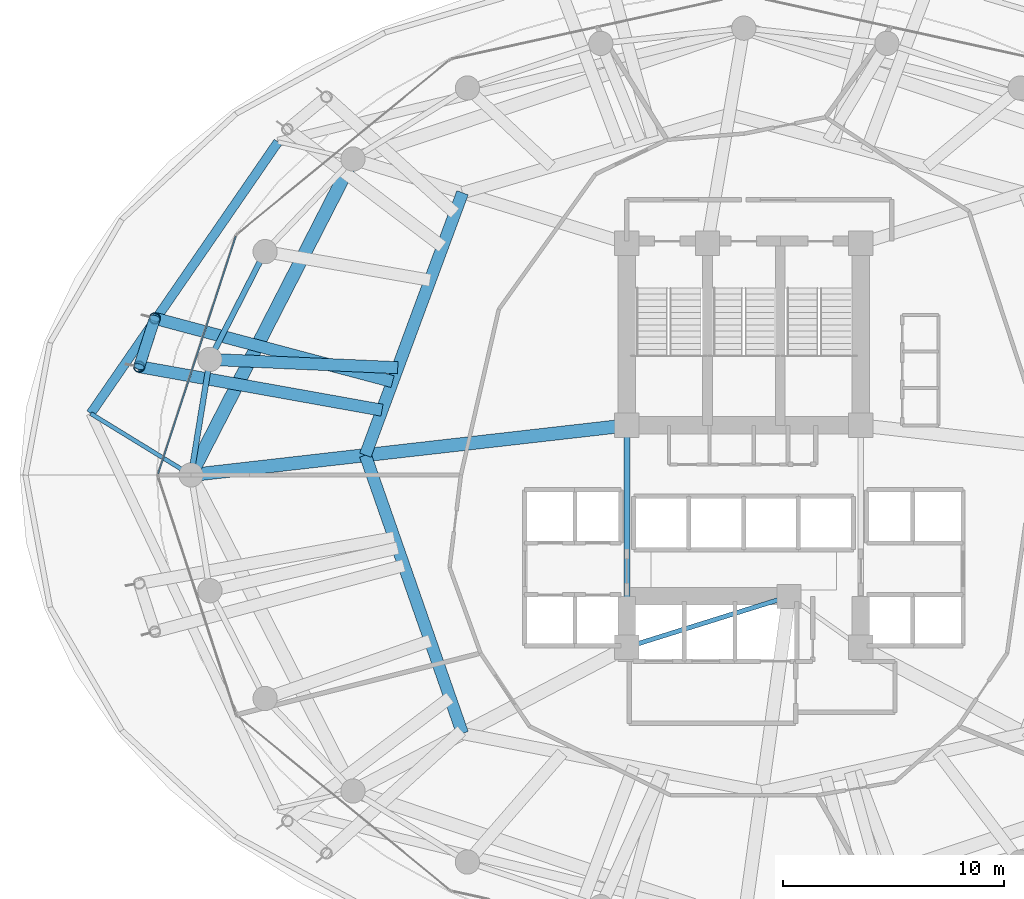
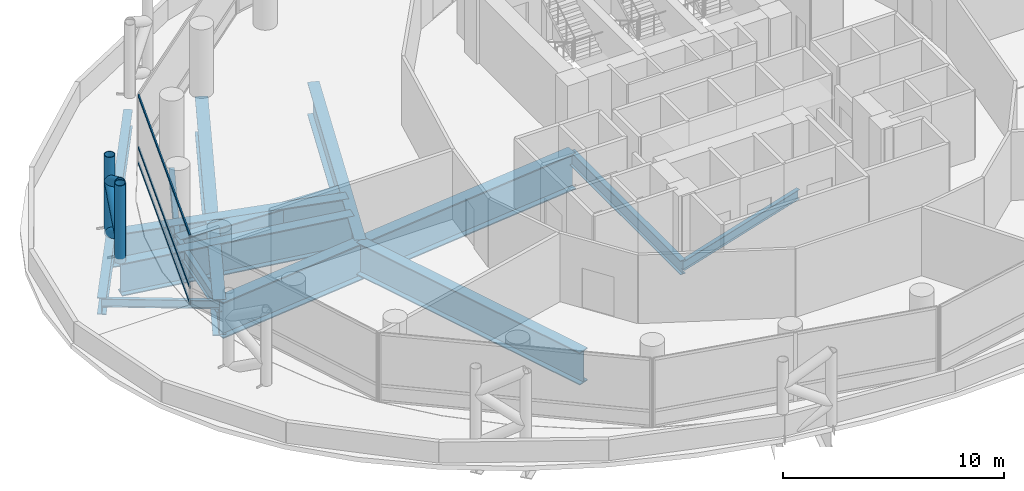
# One storey, part 9 of 37: 13 beams, 8 members, 1 element without a shape of its own.
"""IFC4 building model written with IfcOpenShell, lengths in metres."""

import ifcopenshell
import ifcopenshell.guid

model = None  # the IFC model being written
_history = None  # IfcOwnerHistory: only IFC2X3 demands one
_inside = {}  # id of a spatial element -> (the spatial element, [elements in it])
_under = {}  # id of a project, library or spatial element -> (it, [spatial elements below it])
_declared = {}  # id of a project -> (the project, [libraries it declares])
_typed = {}  # id of a type object -> (the type object, [elements of that type])
_made_of = {}  # id of a material, layer set ... -> (it, [elements and type objects made of it])


def new_model(schema):
    """Start an empty IFC model of exactly this schema.

    Asked for "IFC4X3", IfcOpenShell would pick the latest addendum, in which some entities
    have other attributes; the version numbers below select the first issue.
    IFC2X3 requires an IfcOwnerHistory on every rooted entity: one is made here for all.
    """
    global model, _history
    if schema == "IFC4X3":
        model = ifcopenshell.file(schema_version=(4, 3, 0, 0))
    else:
        model = ifcopenshell.file(schema=schema)
    _inside.clear()
    _under.clear()
    _declared.clear()
    _typed.clear()
    _made_of.clear()
    _history = None
    if model.schema == "IFC2X3":
        org = make("IfcOrganization", Name="unknown")
        user = make(
            "IfcPersonAndOrganization",
            ThePerson=make("IfcPerson", FamilyName="unknown"),
            TheOrganization=org,
        )
        app = make(
            "IfcApplication",
            ApplicationDeveloper=org,
            Version="unknown",
            ApplicationFullName="unknown",
            ApplicationIdentifier="unknown",
        )
        _history = make(
            "IfcOwnerHistory",
            OwningUser=user,
            OwningApplication=app,
            ChangeAction="ADDED",
            CreationDate=0,
        )
    return model


def make(cls, **values):
    """One entity of the class cls with the attributes given. An attribute that is None is left unset."""
    return model.create_entity(
        cls, **{name: value for name, value in values.items() if value is not None}
    )


def rooted(cls, **values):
    """An entity with a GlobalId (a new one), such as an element, a storey or a relation."""
    return make(cls, GlobalId=ifcopenshell.guid.new(), OwnerHistory=_history, **values)


def si_unit(unit_type, name, prefix=None):
    """IfcSIUnit, for example si_unit("LENGTHUNIT", "METRE", prefix="MILLI")."""
    return make("IfcSIUnit", UnitType=unit_type, Prefix=prefix, Name=name)


def assignment(units):
    """IfcUnitAssignment: the units of a project."""
    return None if units is None else make("IfcUnitAssignment", Units=units)


def point(xyz):
    """IfcCartesianPoint."""
    return None if xyz is None else make("IfcCartesianPoint", Coordinates=xyz)


def direction(xyz):
    """IfcDirection."""
    return None if xyz is None else make("IfcDirection", DirectionRatios=xyz)


def frame(location, z_axis=None, x_axis=None):
    """IfcAxis2Placement3D, a coordinate frame: its origin and axes. An axis left out is left unset."""
    return make(
        "IfcAxis2Placement3D",
        Location=point(location),
        Axis=direction(z_axis),
        RefDirection=direction(x_axis),
    )


def frame_2d(location, x_axis=None):
    """IfcAxis2Placement2D, a coordinate frame in the plane: its origin and x axis."""
    return make(
        "IfcAxis2Placement2D", Location=point(location), RefDirection=direction(x_axis)
    )


def origin():
    """The frame at (0, 0, 0) with its axes left unset."""
    return frame((0.0, 0.0, 0.0))


def origin_2d():
    """The frame at (0, 0) in the plane with its x axis left unset."""
    return frame_2d((0.0, 0.0))


def place(relative_to, where):
    """IfcLocalPlacement: puts the frame where relative to a parent placement (None: the world)."""
    return make(
        "IfcLocalPlacement", PlacementRelTo=relative_to, RelativePlacement=where
    )


def context(
    kind, dimensions, precision=None, world=None, true_north=None, identifier=None
):
    """IfcGeometricRepresentationContext, for example the 3D "Model" context."""
    return make(
        "IfcGeometricRepresentationContext",
        ContextIdentifier=identifier,
        ContextType=kind,
        CoordinateSpaceDimension=dimensions,
        Precision=precision,
        WorldCoordinateSystem=world,
        TrueNorth=true_north,
    )


def subcontext(parent, identifier, kind, view, scale=None):
    """IfcGeometricRepresentationSubContext, for example "Body" below "Model"."""
    return make(
        "IfcGeometricRepresentationSubContext",
        ContextIdentifier=identifier,
        ContextType=kind,
        ParentContext=parent,
        TargetScale=scale,
        TargetView=view,
    )


def project(units=None, contexts=None):
    """IfcProject with its units and contexts."""
    return rooted(
        "IfcProject",
        Name="project",
        RepresentationContexts=contexts,
        UnitsInContext=assignment(units),
    )


def spatial(cls, under=None, at=None, **own):
    """A site, building, storey or space (cls), placed at a placement, below another one or the project."""
    s = rooted(cls, ObjectPlacement=at, **own)
    if under is not None:
        _under.setdefault(under.id(), (under, []))[1].append(s)
    return s


def profile(cls, at=None, kind="AREA", **sizes):
    """A parametric profile (cls). Its sizes go by their IFC names, for example OverallWidth=200.0."""
    return make(cls, ProfileType=kind, Position=at, **sizes)


def hollow_rectangle(**sizes):
    """IfcRectangleHollowProfileDef."""
    return profile("IfcRectangleHollowProfileDef", **sizes)


def hollow_circle(**sizes):
    """IfcCircleHollowProfileDef."""
    return profile("IfcCircleHollowProfileDef", **sizes)


def i_section(**sizes):
    """IfcIShapeProfileDef."""
    return profile("IfcIShapeProfileDef", **sizes)


def extrude(swept, where, along, depth):
    """IfcExtrudedAreaSolid: the profile swept, set in the frame where, extruded along a direction by depth."""
    return make(
        "IfcExtrudedAreaSolid",
        SweptArea=swept,
        Position=where,
        ExtrudedDirection=direction(along),
        Depth=depth,
    )


def shape(context_of_items, identifier, shape_type, items):
    """IfcShapeRepresentation: the items that make up one representation, for example the "Body"."""
    return make(
        "IfcShapeRepresentation",
        ContextOfItems=context_of_items,
        RepresentationIdentifier=identifier,
        RepresentationType=shape_type,
        Items=items,
    )


def material(Name=None, Category=None):
    """IfcMaterial."""
    return make("IfcMaterial", Name=Name, Category=Category)


def layer(
    of_material, thickness, ventilated=None, Name=None, Category=None, Priority=None
):
    """IfcMaterialLayer: one layer of a wall or slab, of a material (None: an air gap)."""
    return make(
        "IfcMaterialLayer",
        Material=of_material,
        LayerThickness=thickness,
        IsVentilated=ventilated,
        Name=Name,
        Category=Category,
        Priority=Priority,
    )


def layer_set(layers, Name=None):
    """IfcMaterialLayerSet."""
    return make("IfcMaterialLayerSet", MaterialLayers=layers, LayerSetName=Name)


def material_profile(
    of_material, cross_section, Name=None, Category=None, Priority=None
):
    """IfcMaterialProfile: a cross section and its material."""
    return make(
        "IfcMaterialProfile",
        Name=Name,
        Material=of_material,
        Profile=cross_section,
        Priority=Priority,
        Category=Category,
    )


def profile_set(profiles, Name=None, composite=None):
    """IfcMaterialProfileSet."""
    return make(
        "IfcMaterialProfileSet",
        Name=Name,
        MaterialProfiles=profiles,
        CompositeProfile=composite,
    )


def made_of(thing, what):
    """Note that an element or type object is made of a material, layer set ...; save() writes the relation."""
    if what is not None:
        _made_of.setdefault(what.id(), (what, []))[1].append(thing)
    return thing


def type_object(cls, material=None, **own):
    """A type object (cls), such as IfcWallType, which elements share."""
    return made_of(rooted(cls, **own), material)


def element(
    cls,
    number,
    at=None,
    inside=None,
    cuts=None,
    type_object=None,
    material=None,
    context=None,
    identifier="Body",
    shape_type=None,
    held_by="IfcProductDefinitionShape",
    body=None,
    shapes=None,
    **own,
):
    """One element of the class cls, such as IfcWall. Its Tag is "e" and its number.

    at: its placement. inside: the storey or other place that contains it. cuts: it is an
    opening in that element (IfcRelVoidsElement). A single representation is given by context,
    identifier, shape_type and body (its items); several are given by shapes. held_by: the class
    of the entity that holds the representations. save() writes the other relations.
    """
    e = rooted(cls, Tag="e%d" % number, ObjectPlacement=at, **own)
    if body is not None:
        shapes = [shape(context, identifier, shape_type, body)]
    if shapes is not None:
        e.Representation = make(held_by, Representations=shapes)
    if inside is not None:
        _inside.setdefault(inside.id(), (inside, []))[1].append(e)
    if cuts is not None:
        rooted(
            "IfcRelVoidsElement", RelatingBuildingElement=cuts, RelatedOpeningElement=e
        )
    if type_object is not None:
        _typed.setdefault(type_object.id(), (type_object, []))[1].append(e)
    return made_of(e, material)


def aggregate(whole, parts):
    """IfcRelAggregates: a whole, such as a stair, and the parts it consists of."""
    return rooted("IfcRelAggregates", RelatingObject=whole, RelatedObjects=parts)


def save(model, path):
    """Write the relations noted so far, then the file.

    IfcRelAggregates (storeys below a building ...), IfcRelContainedInSpatialStructure (elements
    in a storey), IfcRelDefinesByType, IfcRelAssociatesMaterial and IfcRelDeclares: one each for
    every whole, place, type object, material and project.
    """
    for whole, parts in _under.values():
        aggregate(whole, parts)
    for where, things in _inside.values():
        rooted(
            "IfcRelContainedInSpatialStructure",
            RelatedElements=things,
            RelatingStructure=where,
        )
    for kind, things in _typed.values():
        rooted("IfcRelDefinesByType", RelatedObjects=things, RelatingType=kind)
    for what, things in _made_of.values():
        rooted("IfcRelAssociatesMaterial", RelatedObjects=things, RelatingMaterial=what)
    for by, libraries in _declared.values():
        rooted("IfcRelDeclares", RelatingContext=by, RelatedDefinitions=libraries)
    model.write(path)


model = new_model("IFC4")

# Units and contexts
model_context = context("Model", 3, precision=1e-05, world=origin(), true_north=direction((0.0, 1.0)))
body_context = subcontext(model_context, "Body", "Model", "MODEL_VIEW")
ifc_project = project(units=[si_unit("LENGTHUNIT", "METRE"), si_unit("AREAUNIT", "SQUARE_METRE"), si_unit("VOLUMEUNIT", "CUBIC_METRE"), si_unit("PLANEANGLEUNIT", "RADIAN"), si_unit("MASSUNIT", "GRAM", prefix="KILO")], contexts=[model_context])

# Site, building, storey
site_placement = place(None, origin())
site = spatial("IfcSite", under=ifc_project, at=site_placement, CompositionType="ELEMENT")
building_placement = place(site_placement, origin())
building = spatial("IfcBuilding", under=site, at=building_placement, Name="Nuhasar Tower", CompositionType="ELEMENT")
storey_placement = place(building_placement, frame((0.0, 0.0, 21.0)))
storey = spatial("IfcBuildingStorey", under=building, at=storey_placement, Name="L04", CompositionType="ELEMENT", Elevation=21.0)

# Beams
ifc_material_1 = material(Name="Steel S355", Category="steel")
ifc_material_profile_1 = material_profile(ifc_material_1, i_section(OverallWidth=0.419921875, OverallDepth=0.931884765625, WebThickness=0.021240234375, FlangeThickness=0.03662109375, at=origin_2d()), Name="W36X262")
ifc_profile_set_1 = profile_set([ifc_material_profile_1], Name="Steel S355")
beam_type_1 = type_object("IfcBeamType", Name="BM-POD-W36X262", PredefinedType="BEAM", material=ifc_profile_set_1)
beam_1_placement = place(storey_placement, frame((17.89306640625, 41.89697265625, -0.72607421875), z_axis=(-0.567657789101, -0.823264619957, 0.0), x_axis=(0.823264619957, -0.567657789101, 0.0)))
element("IfcBeam", 1, at=beam_1_placement, inside=storey, type_object=beam_type_1, Name="L04 Podium Ring Girder 07", PredefinedType="BEAM", context=body_context, shape_type="SweptSolid", body=[
    extrude(i_section(OverallWidth=0.419921875, OverallDepth=0.931884765625, WebThickness=0.021240234375, FlangeThickness=0.03662109375, at=origin_2d()), origin(), (0.0, 0.0, 1.0), 14.95263671875),
])
ifc_material_profile_2 = material_profile(ifc_material_1, i_section(OverallWidth=0.18994140625, OverallDepth=0.45703125, WebThickness=0.009033203125, FlangeThickness=0.014404296875, at=origin_2d()), Name="W18X50")
ifc_profile_set_2 = profile_set([ifc_material_profile_2], Name="Steel S355")
beam_type_2 = type_object("IfcBeamType", Name="BM-RAD-W18X50", PredefinedType="BEAM", material=ifc_profile_set_2)
beam_2_placement = place(storey_placement, frame((13.949951171875, 26.800048828125, -0.489013671875), z_axis=(-0.852495272032, 0.522734933941, 0.0), x_axis=(-0.522734933941, -0.852495272032, 0.0)))
element("IfcBeam", 2, at=beam_2_placement, inside=storey, type_object=beam_type_2, Name="L04 Podium Radial Girder 08", PredefinedType="BEAM", context=body_context, shape_type="SweptSolid", body=[
    extrude(i_section(OverallWidth=0.18994140625, OverallDepth=0.45703125, WebThickness=0.009033203125, FlangeThickness=0.014404296875, at=origin_2d()), origin(), (0.0, 0.0, 1.0), 5.331298828125),
])
ifc_material_profile_3 = material_profile(ifc_material_1, i_section(OverallWidth=0.208984375, OverallDepth=0.532958984375, WebThickness=0.01025390625, FlangeThickness=0.015625, at=origin_2d()), Name="W21X62")
ifc_profile_set_3 = profile_set([ifc_material_profile_3], Name="Steel S355")
beam_type_3 = type_object("IfcBeamType", Name="BM-RAD-W21X62", PredefinedType="BEAM", material=ifc_profile_set_3)
beam_3_placement = place(storey_placement, frame((33.699951171875, 19.0, -0.527099609375), z_axis=(0.954363709454, 0.298646798205, 0.0), x_axis=(-0.298646798205, 0.954363709454, 0.0)))
element("IfcBeam", 3, at=beam_3_placement, inside=storey, type_object=beam_type_3, Name="L04 Core Ring Girder 1", PredefinedType="BEAM", context=body_context, shape_type="SweptSolid", body=[
    extrude(i_section(OverallWidth=0.208984375, OverallDepth=0.532958984375, WebThickness=0.01025390625, FlangeThickness=0.015625, at=origin_2d()), origin(), (0.0, 0.0, 1.0), 7.70166015625),
])
ifc_material_profile_4 = material_profile(ifc_material_1, i_section(OverallWidth=0.26611328125, OverallDepth=0.779052734375, WebThickness=0.0166015625, FlangeThickness=0.030029296875, at=origin_2d()), Name="W30X148")
ifc_profile_set_4 = profile_set([ifc_material_profile_4], Name="Steel S355")
beam_type_4 = type_object("IfcBeamType", Name="BM-RAD-W30X148", PredefinedType="BEAM", material=ifc_profile_set_4)
beam_4_placement = place(storey_placement, frame((33.699951171875, 29.050048828125, -0.64990234375), z_axis=(0.0, -1.0, 0.0), x_axis=(1.0, 0.0, 0.0)))
element("IfcBeam", 4, at=beam_4_placement, inside=storey, type_object=beam_type_4, Name="L04 Core Ring Girder 8", PredefinedType="BEAM", context=body_context, shape_type="SweptSolid", body=[
    extrude(i_section(OverallWidth=0.26611328125, OverallDepth=0.779052734375, WebThickness=0.0166015625, FlangeThickness=0.030029296875, at=origin_2d()), origin(), (0.0, 0.0, 1.0), 10.050048828125),
])
ifc_material_profile_5 = material_profile(ifc_material_1, i_section(OverallWidth=0.256103515625, OverallDepth=0.693115234375, WebThickness=0.014404296875, FlangeThickness=0.023681640625, at=origin_2d()), Name="W27X114")
ifc_profile_set_5 = profile_set([ifc_material_profile_5], Name="Steel S355")
beam_type_5 = type_object("IfcBeamType", Name="BM-RING-W27X114", PredefinedType="SPANDREL", material=ifc_profile_set_5)
beam_5_placement = place(storey_placement, frame((17.305908203125, 36.925048828125, -0.60693359375), z_axis=(-0.455930023905, -0.890015625314, 0.0), x_axis=(0.890015625314, -0.455930023905, 0.0)))
element("IfcBeam", 5, at=beam_5_placement, inside=storey, type_object=beam_type_5, Name="L04 Perimeter Ring Spandrel 11", PredefinedType="SPANDREL", context=body_context, shape_type="SweptSolid", body=[
    extrude(i_section(OverallWidth=0.256103515625, OverallDepth=0.693115234375, WebThickness=0.014404296875, FlangeThickness=0.023681640625, at=origin_2d()), origin(), (0.0, 0.0, 1.0), 5.487548828125),
])
beam_6_placement = place(storey_placement, frame((14.803955078125, 32.041015625, -0.60693359375), z_axis=(-0.160826635486, -0.986982671235, 0.0), x_axis=(0.986982671235, -0.160826635486, 0.0)))
element("IfcBeam", 6, at=beam_6_placement, inside=storey, type_object=beam_type_5, Name="L04 Perimeter Ring Spandrel 12", PredefinedType="SPANDREL", context=body_context, shape_type="SweptSolid", body=[
    extrude(i_section(OverallWidth=0.256103515625, OverallDepth=0.693115234375, WebThickness=0.014404296875, FlangeThickness=0.023681640625, at=origin_2d()), origin(), (0.0, 0.0, 1.0), 5.31005859375),
])
ifc_material_2 = material(Name="Steel S460", Category="steel")
ifc_material_profile_6 = material_profile(ifc_material_2, i_section(OverallWidth=0.550048828125, OverallDepth=1.64990234375, WebThickness=0.031982421875, FlangeThickness=0.054931640625, at=origin_2d()), Name="PG1650X550")
ifc_profile_set_6 = profile_set([ifc_material_profile_6], Name="Steel S460")
beam_type_6 = type_object("IfcBeamType", Name="BM-XFER-PG1650", PredefinedType="USERDEFINED", material=ifc_profile_set_6)
beam_7_placement = place(storey_placement, frame((23.31689453125, 31.6640625, -1.0849609375), z_axis=(-0.999021079244, 0.044236672871, 0.0), x_axis=(-0.044236672871, -0.999021079244, 0.0)))
element("IfcBeam", 7, at=beam_7_placement, inside=storey, type_object=beam_type_6, Name="L04 Inner Column Transfer Girder 12", ObjectType="GIRDER", PredefinedType="USERDEFINED", context=body_context, shape_type="SweptSolid", body=[
    extrude(i_section(OverallWidth=0.550048828125, OverallDepth=1.64990234375, WebThickness=0.031982421875, FlangeThickness=0.054931640625, at=origin_2d()), origin(), (0.0, 0.0, 1.0), 8.521240234375),
])
ifc_material_profile_7 = material_profile(ifc_material_2, i_section(OverallWidth=0.550048828125, OverallDepth=1.800048828125, WebThickness=0.031982421875, FlangeThickness=0.054931640625, at=origin_2d()), Name="PG1800X550")
ifc_profile_set_7 = profile_set([ifc_material_profile_7], Name="Steel S460")
beam_type_7 = type_object("IfcBeamType", Name="BM-XFER-PG1800", PredefinedType="USERDEFINED", material=ifc_profile_set_7)
beam_8_placement = place(storey_placement, frame((26.251953125, 39.591064453125, -1.159912109375), z_axis=(-0.34715757476, -0.937806812881, 0.0), x_axis=(0.937806812881, -0.34715757476, 0.0)))
element("IfcBeam", 8, at=beam_8_placement, inside=storey, type_object=beam_type_7, Name="L04 Inner Header Beam 07", ObjectType="GIRDER", PredefinedType="USERDEFINED", context=body_context, shape_type="SweptSolid", body=[
    extrude(i_section(OverallWidth=0.550048828125, OverallDepth=1.800048828125, WebThickness=0.031982421875, FlangeThickness=0.054931640625, at=origin_2d()), origin(), (0.0, 0.0, 1.0), 12.6796875),
])
beam_9_placement = place(storey_placement, frame((21.85009765625, 27.699951171875, -1.159912109375), z_axis=(0.329554049858, -0.944136710558, 0.0), x_axis=(0.944136710558, 0.329554049858, 0.0)))
element("IfcBeam", 9, at=beam_9_placement, inside=storey, type_object=beam_type_7, Name="L04 Inner Header Beam 08", ObjectType="GIRDER", PredefinedType="USERDEFINED", context=body_context, shape_type="SweptSolid", body=[
    extrude(i_section(OverallWidth=0.550048828125, OverallDepth=1.800048828125, WebThickness=0.031982421875, FlangeThickness=0.054931640625, at=origin_2d()), origin(), (0.0, 0.0, 1.0), 13.35693359375),
])
beam_10_placement = place(storey_placement, frame((23.083984375, 31.032958984375, -1.159912109375), z_axis=(-0.966404439492, 0.257026184132, 0.0), x_axis=(-0.257026184132, -0.966404439492, 0.0)))
element("IfcBeam", 10, at=beam_10_placement, inside=storey, type_object=beam_type_7, Name="L04 Exoskeleton Base Transfer Girder 11", ObjectType="GIRDER", PredefinedType="USERDEFINED", context=body_context, shape_type="SweptSolid", body=[
    extrude(i_section(OverallWidth=0.550048828125, OverallDepth=1.800048828125, WebThickness=0.031982421875, FlangeThickness=0.054931640625, at=origin_2d()), origin(), (0.0, 0.0, 1.0), 11.150390625),
])
beam_11_placement = place(storey_placement, frame((22.60400390625, 29.738037109375, -1.159912109375), z_axis=(-0.98431995214, 0.176392266894, 0.0), x_axis=(-0.176392266894, -0.98431995214, 0.0)))
element("IfcBeam", 11, at=beam_11_placement, inside=storey, type_object=beam_type_7, Name="L04 Exoskeleton Base Transfer Girder 12", ObjectType="GIRDER", PredefinedType="USERDEFINED", context=body_context, shape_type="SweptSolid", body=[
    extrude(i_section(OverallWidth=0.550048828125, OverallDepth=1.800048828125, WebThickness=0.031982421875, FlangeThickness=0.054931640625, at=origin_2d()), origin(), (0.0, 0.0, 1.0), 11.17919921875),
])
ifc_material_profile_8 = material_profile(ifc_material_2, i_section(OverallWidth=0.60009765625, OverallDepth=2.0, WebThickness=0.035888671875, FlangeThickness=0.06005859375, at=origin_2d()), Name="PG2000X600")
ifc_profile_set_8 = profile_set([ifc_material_profile_8], Name="Steel S460")
beam_type_8 = type_object("IfcBeamType", Name="BM-XFER-PG2000", PredefinedType="USERDEFINED", material=ifc_profile_set_8)
beam_12_placement = place(storey_placement, frame((21.287109375, 41.118896484375, -1.260009765625), z_axis=(-0.456029199343, -0.889964813544, 0.0), x_axis=(0.889964813544, -0.456029199343, 0.0)))
element("IfcBeam", 12, at=beam_12_placement, inside=storey, type_object=beam_type_8, Name="L04 Podium-to-Tower Transfer Chord 07", ObjectType="GIRDER", PredefinedType="USERDEFINED", context=body_context, shape_type="SweptSolid", body=[
    extrude(i_section(OverallWidth=0.60009765625, OverallDepth=2.0, WebThickness=0.035888671875, FlangeThickness=0.06005859375, at=origin_2d()), origin(), (0.0, 0.0, 1.0), 16.089111328125),
])
beam_13_placement = place(storey_placement, frame((33.699951171875, 29.050048828125, -1.260009765625), z_axis=(-0.993573147212, -0.113191877531, 0.0), x_axis=(0.113191877531, -0.993573147212, 0.0)))
element("IfcBeam", 13, at=beam_13_placement, inside=storey, type_object=beam_type_8, Name="L04 Radial Floor Girder 08", ObjectType="GIRDER", PredefinedType="USERDEFINED", context=body_context, shape_type="SweptSolid", body=[
    extrude(i_section(OverallWidth=0.60009765625, OverallDepth=2.0, WebThickness=0.035888671875, FlangeThickness=0.06005859375, at=origin_2d()), origin(), (0.0, 0.0, 1.0), 19.877685546875),
])

# Curtain wall, members
ifc_material_3 = material(Name="Aluminium 6063-T6", Category="aluminium")
ifc_layer = layer(ifc_material_3, 0.199951171875)
ifc_layer_set = layer_set([ifc_layer], Name="Aluminium 6063-T6")
curtain_wall_type = type_object("IfcCurtainWallType", Name="CW-Z1-OFF", PredefinedType="NOTDEFINED", material=ifc_layer_set)
curtain_wall_placement = place(storey_placement, origin())
curtain_wall = element("IfcCurtainWall", 14, at=curtain_wall_placement, inside=storey, type_object=curtain_wall_type, Name="L04 Unitised Curtain Wall 06", PredefinedType="NOTDEFINED")
ifc_material_profile_9 = material_profile(ifc_material_3, hollow_rectangle(XDim=0.06494140625, YDim=0.14990234375, WallThickness=0.00439453125, at=origin_2d()), Name="CWT-2")
ifc_profile_set_9 = profile_set([ifc_material_profile_9], Name="Aluminium 6063-T6")
member_type_1 = type_object("IfcMemberType", Name="CW-TRN-S2", PredefinedType="USERDEFINED", material=ifc_profile_set_9)
member_1_placement = place(storey_placement, frame((15.977783203125, 37.6181640625, 0.032470703125), z_axis=(-0.31082506089, -0.950467138581, 0.0), x_axis=(0.950467138581, -0.31082506089, 0.0)))
member_1 = element("IfcMember", 15, at=member_1_placement, type_object=member_type_1, Name="CW-Z1 transom 1.1", ObjectType="TRANSOM", PredefinedType="USERDEFINED", context=body_context, shape_type="SweptSolid", body=[
    extrude(hollow_rectangle(XDim=0.06494140625, YDim=0.14990234375, WallThickness=0.00439453125, at=origin_2d()), origin(), (0.0, 0.0, 1.0), 11.31689453125),
])
member_2_placement = place(storey_placement, frame((15.977783203125, 37.6181640625, 0.89990234375), z_axis=(-0.31082506089, -0.950467138581, 0.0), x_axis=(0.950467138581, -0.31082506089, 0.0)))
member_2 = element("IfcMember", 16, at=member_2_placement, type_object=member_type_1, Name="CW-Z1 transom 1.2", ObjectType="TRANSOM", PredefinedType="USERDEFINED", context=body_context, shape_type="SweptSolid", body=[
    extrude(hollow_rectangle(XDim=0.06494140625, YDim=0.14990234375, WallThickness=0.00439453125, at=origin_2d()), origin(), (0.0, 0.0, 1.0), 11.31689453125),
])
member_3_placement = place(storey_placement, frame((15.977783203125, 37.6181640625, 3.757568359375), z_axis=(-0.31082506089, -0.950467138581, 0.0), x_axis=(0.950467138581, -0.31082506089, 0.0)))
member_3 = element("IfcMember", 17, at=member_3_placement, type_object=member_type_1, Name="CW-Z1 transom 1.3", ObjectType="TRANSOM", PredefinedType="USERDEFINED", context=body_context, shape_type="SweptSolid", body=[
    extrude(hollow_rectangle(XDim=0.06494140625, YDim=0.14990234375, WallThickness=0.00439453125, at=origin_2d()), origin(), (0.0, 0.0, 1.0), 11.31689453125),
])
aggregate(curtain_wall, [member_1, member_2, member_3])

# Members
ifc_material_profile_10 = material_profile(ifc_material_2, hollow_circle(Radius=0.25390625, WallThickness=0.025390625, at=origin_2d()), Name="HSS508X25.4")
ifc_profile_set_10 = profile_set([ifc_material_profile_10], Name="Steel S460")
member_type_2 = type_object("IfcMemberType", Name="EXO-BRONZE-508", PredefinedType="BRACE", material=ifc_profile_set_10)
for number, where, z_axis, x_axis, name in (
    (18, (12.30810546875, 33.89892578125, -0.260009765625), (0.0, 0.0, 1.0), (1.0, 0.0, 0.0), "L04 Exoskeleton Chord Column EC-06A"),
    (19, (11.60009765625, 31.7099609375, -0.260009765625), (0.0, 0.0, 1.0), (1.0, 0.0, 0.0), "L04 Exoskeleton Chord Column EC-06B"),
):
    element("IfcMember", number, at=place(storey_placement, frame(where, z_axis=z_axis, x_axis=x_axis)), inside=storey, type_object=member_type_2, Name=name, PredefinedType="BRACE", context=body_context, shape_type="SweptSolid", body=[
        extrude(hollow_circle(Radius=0.25390625, WallThickness=0.025390625, at=origin_2d()), origin(), (0.0, 0.0, 1.0), 4.31005859375),
    ])
member_4_placement = place(storey_placement, frame((12.30810546875, 33.89892578125, -0.260009765625), z_axis=(-0.261013360154, -0.806981305911, 0.529767116506), x_axis=(0.951468282519, -0.307746823478, 0.0)))
element("IfcMember", 20, at=member_4_placement, inside=storey, type_object=member_type_2, Name="L04 Bronze Diagrid Brace W1-06", PredefinedType="BRACE", context=body_context, shape_type="SweptSolid", body=[
    extrude(hollow_circle(Radius=0.25390625, WallThickness=0.025390625, at=origin_2d()), origin(), (0.0, 0.0, 1.0), 2.712646484375),
])
member_5_placement = place(storey_placement, frame((11.60009765625, 31.7099609375, 1.177001953125), z_axis=(0.26106313949, 0.807135209886, 0.529508064304), x_axis=(-0.951468282519, 0.307746823478, 0.0)))
element("IfcMember", 21, at=member_5_placement, inside=storey, type_object=member_type_2, Name="L04 Bronze Diagrid Brace W2-06", PredefinedType="BRACE", context=body_context, shape_type="SweptSolid", body=[
    extrude(hollow_circle(Radius=0.25390625, WallThickness=0.025390625, at=origin_2d()), origin(), (0.0, 0.0, 1.0), 2.7119140625),
])
member_6_placement = place(storey_placement, frame((12.30810546875, 33.89892578125, 2.613037109375), z_axis=(-0.261013360154, -0.806981305911, 0.529767116506), x_axis=(0.951468282519, -0.307746823478, 0.0)))
element("IfcMember", 22, at=member_6_placement, inside=storey, type_object=member_type_2, Name="L04 Bronze Diagrid Brace W3-06", PredefinedType="BRACE", context=body_context, shape_type="SweptSolid", body=[
    extrude(hollow_circle(Radius=0.25390625, WallThickness=0.025390625, at=origin_2d()), origin(), (0.0, 0.0, 1.0), 2.712646484375),
])

save(model, "model.ifc")
